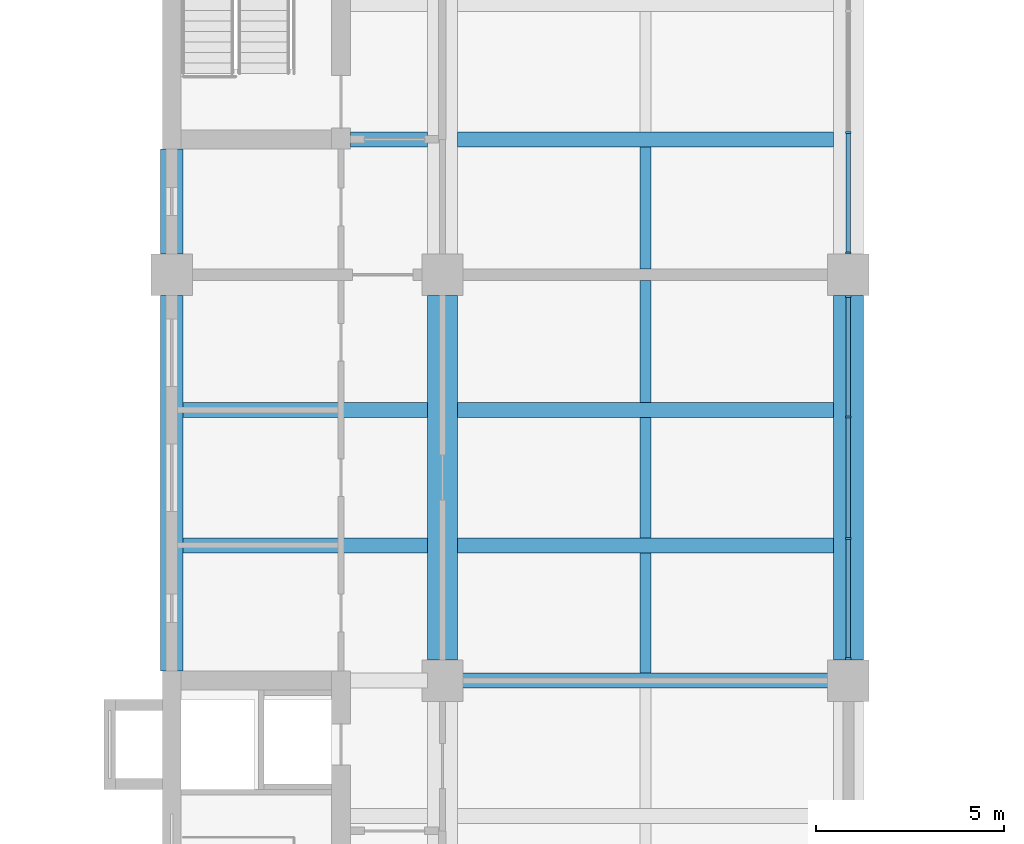
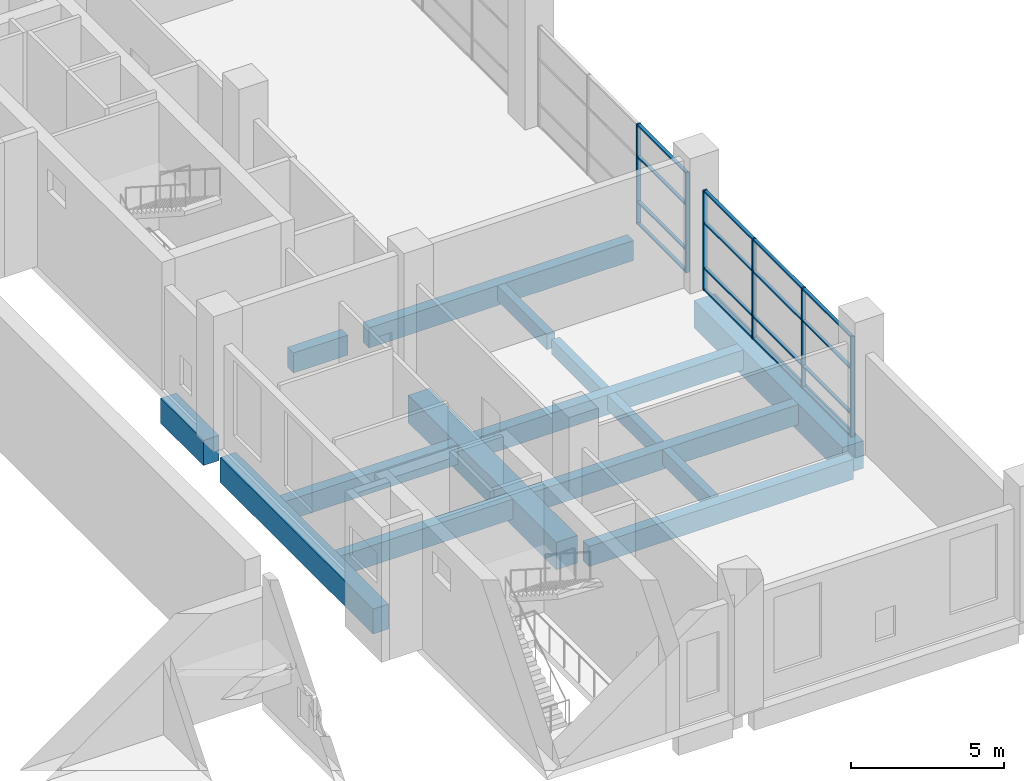
# One storey, part 3 of 33: 22 members, 15 beams, 2 elements without a shape of their own.
"""IFC4 building model written with IfcOpenShell, lengths in metres."""

from ifc_helpers import new_model, si_unit, direction, frame, origin, origin_2d, place, context, subcontext, project, spatial, rectangle, extrude, material, layer, layer_set, material_profile, profile_set, type_object, element, aggregate, save


model = new_model("IFC4")

# Units and contexts
model_context = context("Model", 3, precision=1e-05, world=origin(), true_north=direction((0.0, 1.0)))
body_context = subcontext(model_context, "Body", "Model", "MODEL_VIEW")
ifc_project = project(units=[si_unit("LENGTHUNIT", "METRE"), si_unit("AREAUNIT", "SQUARE_METRE"), si_unit("VOLUMEUNIT", "CUBIC_METRE"), si_unit("PLANEANGLEUNIT", "RADIAN"), si_unit("MASSUNIT", "GRAM", prefix="KILO")], contexts=[model_context])

# Site, building, storey
site_placement = place(None, origin())
site = spatial("IfcSite", under=ifc_project, at=site_placement, CompositionType="ELEMENT")
building_placement = place(site_placement, origin())
building = spatial("IfcBuilding", under=site, at=building_placement, Name="Basin Gate Institute", CompositionType="ELEMENT")
storey_placement = place(building_placement, frame((0.0, 0.0, 6.0)))
storey = spatial("IfcBuildingStorey", under=building, at=storey_placement, Name="L01", CompositionType="ELEMENT", Elevation=6.0)

# Beams
ifc_material_1 = material(Name="Concrete 40 MPa", Category="concrete")
ifc_material_profile_1 = material_profile(ifc_material_1, rectangle(XDim=0.39990234375, YDim=0.800048828125, at=origin_2d()), Name="Beam B2 400 x 800")
ifc_profile_set_1 = profile_set([ifc_material_profile_1], Name="Concrete 40 MPa")
beam_type_1 = type_object("IfcBeamType", Name="Beam B2 R180", PredefinedType="BEAM", material=ifc_profile_set_1)
for number, where, z_axis, x_axis, name in (
    (1, (68.800048828125, 45.89990234375, -0.699951171875), (1.0, 0.0, 0.0), (0.0, 1.0, 0.0), "BEAM/L01/W/EW/04"),
    (2, (68.800048828125, 49.5, -0.699951171875), (1.0, 0.0, 0.0), (0.0, 1.0, 0.0), "BEAM/L01/W/EW/05"),
):
    element("IfcBeam", number, at=place(storey_placement, frame(where, z_axis=z_axis, x_axis=x_axis)), inside=storey, type_object=beam_type_1, material=ifc_profile_set_1, Name=name, PredefinedType="BEAM", context=body_context, shape_type="SweptSolid", body=[
        extrude(rectangle(XDim=0.39990234375, YDim=0.800048828125, at=origin_2d()), origin(), (0.0, 0.0, 1.0), 10.0),
    ])
beam_1_placement = place(storey_placement, frame((61.5, 49.5, -0.699951171875), z_axis=(1.0, 0.0, 0.0), x_axis=(0.0, 1.0, 0.0)))
element("IfcBeam", 3, at=beam_1_placement, inside=storey, type_object=beam_type_1, material=ifc_profile_set_1, Name="BEAM/L01/W/OUT/05", PredefinedType="BEAM", context=body_context, shape_type="SweptSolid", body=[
    extrude(rectangle(XDim=0.39990234375, YDim=0.800048828125, at=origin_2d()), origin(), (0.0, 0.0, 1.0), 6.5),
])
beam_2_placement = place(storey_placement, frame((68.800048828125, 53.10009765625, -0.699951171875), z_axis=(1.0, 0.0, 0.0), x_axis=(0.0, 1.0, 0.0)))
element("IfcBeam", 4, at=beam_2_placement, inside=storey, type_object=beam_type_1, material=ifc_profile_set_1, Name="BEAM/L01/W/EW/06", PredefinedType="BEAM", context=body_context, shape_type="SweptSolid", body=[
    extrude(rectangle(XDim=0.39990234375, YDim=0.800048828125, at=origin_2d()), origin(), (0.0, 0.0, 1.0), 10.0),
])
beam_3_placement = place(storey_placement, frame((61.5, 53.10009765625, -0.699951171875), z_axis=(1.0, 0.0, 0.0), x_axis=(0.0, 1.0, 0.0)))
element("IfcBeam", 5, at=beam_3_placement, inside=storey, type_object=beam_type_1, material=ifc_profile_set_1, Name="BEAM/L01/W/OUT/06", PredefinedType="BEAM", context=body_context, shape_type="SweptSolid", body=[
    extrude(rectangle(XDim=0.39990234375, YDim=0.800048828125, at=origin_2d()), origin(), (0.0, 0.0, 1.0), 6.5),
])
beam_4_placement = place(storey_placement, frame((68.800048828125, 60.300048828125, -0.699951171875), z_axis=(1.0, 0.0, 0.0), x_axis=(0.0, 1.0, 0.0)))
element("IfcBeam", 6, at=beam_4_placement, inside=storey, type_object=beam_type_1, material=ifc_profile_set_1, Name="BEAM/L01/W/EW/08", PredefinedType="BEAM", context=body_context, shape_type="SweptSolid", body=[
    extrude(rectangle(XDim=0.39990234375, YDim=0.800048828125, at=origin_2d()), origin(), (0.0, 0.0, 1.0), 10.0),
])
beam_5_placement = place(storey_placement, frame((65.949951171875, 60.300048828125, -0.699951171875), z_axis=(1.0, 0.0, 0.0), x_axis=(0.0, 1.0, 0.0)))
element("IfcBeam", 7, at=beam_5_placement, inside=storey, type_object=beam_type_1, material=ifc_profile_set_1, Name="BEAM/L01/W/CORR/08", PredefinedType="BEAM", context=body_context, shape_type="SweptSolid", body=[
    extrude(rectangle(XDim=0.39990234375, YDim=0.800048828125, at=origin_2d()), origin(), (0.0, 0.0, 1.0), 2.050048828125),
])
ifc_material_2 = material(Name="Concrete 50 MPa", Category="concrete")
ifc_material_profile_2 = material_profile(ifc_material_2, rectangle(XDim=0.60009765625, YDim=1.0, at=origin_2d()), Name="Edge beam EB2 600 x 1000")
ifc_profile_set_2 = profile_set([ifc_material_profile_2], Name="Concrete 50 MPa")
beam_type_2 = type_object("IfcBeamType", Name="Edge beam EB2 R180", PredefinedType="SPANDREL", material=ifc_profile_set_2)
beam_6_placement = place(storey_placement, frame((61.199951171875, 46.14990234375, -0.800048828125), z_axis=(0.0, 1.0, 0.0), x_axis=(-1.0, 0.0, 0.0)))
element("IfcBeam", 8, at=beam_6_placement, inside=storey, type_object=beam_type_2, material=ifc_profile_set_2, Name="BEAM/L01/W/EDGE/1", PredefinedType="SPANDREL", context=body_context, shape_type="SweptSolid", body=[
    extrude(rectangle(XDim=0.60009765625, YDim=1.0, at=origin_2d()), origin(), (0.0, 0.0, 1.0), 10.0),
])
ifc_material_3 = material(Name="Concrete 50 MPa", Category="concrete")
ifc_material_profile_3 = material_profile(ifc_material_3, rectangle(XDim=0.60009765625, YDim=1.0, at=origin_2d()), Name="Edge return beam EB4 600 x 1000")
ifc_profile_set_3 = profile_set([ifc_material_profile_3], Name="Concrete 50 MPa")
beam_type_3 = type_object("IfcBeamType", Name="Edge return beam EB4 R180", PredefinedType="SPANDREL", material=ifc_profile_set_3)
beam_7_placement = place(storey_placement, frame((61.199951171875, 57.25, -0.800048828125), z_axis=(0.0, 1.0, 0.0), x_axis=(-1.0, 0.0, 0.0)))
element("IfcBeam", 9, at=beam_7_placement, inside=storey, type_object=beam_type_3, material=ifc_profile_set_3, Name="BEAM/L01/W/EDGE/2", PredefinedType="SPANDREL", context=body_context, shape_type="SweptSolid", body=[
    extrude(rectangle(XDim=0.60009765625, YDim=1.0, at=origin_2d()), origin(), (0.0, 0.0, 1.0), 2.800048828125),
])
ifc_material_4 = material(Name="Concrete 50 MPa", Category="concrete")
ifc_material_profile_4 = material_profile(ifc_material_4, rectangle(XDim=0.800048828125, YDim=1.10009765625, at=origin_2d()), Name="Girder G2 800 x 1100")
ifc_profile_set_4 = profile_set([ifc_material_profile_4], Name="Concrete 50 MPa")
beam_type_4 = type_object("IfcBeamType", Name="Girder G2 R180", PredefinedType="BEAM", material=ifc_profile_set_4)
for number, where, z_axis, x_axis, name in (
    (10, (68.39990234375, 46.449951171875, -0.85009765625), (0.0, 1.0, 0.0), (-1.0, 0.0, 0.0), "GIR/L01/W5/2"),
    (11, (79.199951171875, 46.449951171875, -0.85009765625), (0.0, 1.0, 0.0), (-1.0, 0.0, 0.0), "GIR/L01/W6/2"),
):
    element("IfcBeam", number, at=place(storey_placement, frame(where, z_axis=z_axis, x_axis=x_axis)), inside=storey, type_object=beam_type_4, material=ifc_profile_set_4, Name=name, PredefinedType="BEAM", context=body_context, shape_type="SweptSolid", body=[
        extrude(rectangle(XDim=0.800048828125, YDim=1.10009765625, at=origin_2d()), origin(), (0.0, 0.0, 1.0), 9.699951171875),
    ])

# Curtain wall, members
ifc_material_5 = material(Name="Fire-resistant glazing in steel-free frame", Category="steel")
ifc_layer = layer(ifc_material_5, 0.199951171875)
ifc_layer_set = layer_set([ifc_layer], Name="Fire-resistant glazing in steel-free frame")
curtain_wall_type = type_object("IfcCurtainWallType", Name="Atrium rated curtain wall CW3", PredefinedType="NOTDEFINED", material=ifc_layer_set)
curtain_wall_1_placement = place(storey_placement, origin())
curtain_wall_1 = element("IfcCurtainWall", 12, at=curtain_wall_1_placement, inside=storey, type_object=curtain_wall_type, material=ifc_layer_set, Name="Atrium rated curtain wall W wing atrium bay 2 L01", PredefinedType="NOTDEFINED")
ifc_material_6 = material(Name="Aluminium", Category="aluminium")
ifc_material_profile_5 = material_profile(ifc_material_6, rectangle(XDim=0.14990234375, YDim=0.06005859375, at=origin_2d()), Name="Mullion MU3 150 x 60")
ifc_profile_set_5 = profile_set([ifc_material_profile_5], Name="Aluminium")
member_type_1 = type_object("IfcMemberType", Name="Mullion MU3", PredefinedType="MULLION", material=ifc_profile_set_5)
member_1_placement = place(storey_placement, frame((79.199951171875, 46.47998046875, 0.0), z_axis=(0.0, 0.0, 1.0), x_axis=(-1.0, 0.0, 0.0)))
member_1 = element("IfcMember", 13, at=member_1_placement, type_object=member_type_1, material=ifc_profile_set_5, Name="CW3 mullion 1", PredefinedType="MULLION", context=body_context, shape_type="SweptSolid", body=[
    extrude(rectangle(XDim=0.14990234375, YDim=0.06005859375, at=origin_2d()), origin(), (0.0, 0.0, 1.0), 4.0),
])
member_2_placement = place(storey_placement, frame((79.199951171875, 49.683349609375, 0.0), z_axis=(0.0, 0.0, 1.0), x_axis=(-1.0, 0.0, 0.0)))
member_2 = element("IfcMember", 14, at=member_2_placement, type_object=member_type_1, material=ifc_profile_set_5, Name="CW3 mullion 2", PredefinedType="MULLION", context=body_context, shape_type="SweptSolid", body=[
    extrude(rectangle(XDim=0.14990234375, YDim=0.06005859375, at=origin_2d()), origin(), (0.0, 0.0, 1.0), 4.0),
])
member_3_placement = place(storey_placement, frame((79.199951171875, 52.916748046875, 0.0), z_axis=(0.0, 0.0, 1.0), x_axis=(-1.0, 0.0, 0.0)))
member_3 = element("IfcMember", 15, at=member_3_placement, type_object=member_type_1, material=ifc_profile_set_5, Name="CW3 mullion 3", PredefinedType="MULLION", context=body_context, shape_type="SweptSolid", body=[
    extrude(rectangle(XDim=0.14990234375, YDim=0.06005859375, at=origin_2d()), origin(), (0.0, 0.0, 1.0), 4.0),
])
member_4_placement = place(storey_placement, frame((79.199951171875, 56.1201171875, 0.0), z_axis=(0.0, 0.0, 1.0), x_axis=(-1.0, 0.0, 0.0)))
member_4 = element("IfcMember", 16, at=member_4_placement, type_object=member_type_1, material=ifc_profile_set_5, Name="CW3 mullion 4", PredefinedType="MULLION", context=body_context, shape_type="SweptSolid", body=[
    extrude(rectangle(XDim=0.14990234375, YDim=0.06005859375, at=origin_2d()), origin(), (0.0, 0.0, 1.0), 4.0),
])

curtain_wall_2_placement = place(storey_placement, origin())
curtain_wall_2 = element("IfcCurtainWall", 17, at=curtain_wall_2_placement, inside=storey, type_object=curtain_wall_type, material=ifc_layer_set, Name="Atrium rated curtain wall W wing atrium bay 3 L01", PredefinedType="NOTDEFINED")
member_5_placement = place(storey_placement, frame((79.199951171875, 57.280029296875, 0.0), z_axis=(0.0, 0.0, 1.0), x_axis=(-1.0, 0.0, 0.0)))
member_5 = element("IfcMember", 18, at=member_5_placement, type_object=member_type_1, material=ifc_profile_set_5, Name="CW3 mullion 1", PredefinedType="MULLION", context=body_context, shape_type="SweptSolid", body=[
    extrude(rectangle(XDim=0.14990234375, YDim=0.06005859375, at=origin_2d()), origin(), (0.0, 0.0, 1.0), 4.0),
])
member_6_placement = place(storey_placement, frame((79.199951171875, 60.4833984375, 0.0), z_axis=(0.0, 0.0, 1.0), x_axis=(-1.0, 0.0, 0.0)))
member_6 = element("IfcMember", 19, at=member_6_placement, type_object=member_type_1, material=ifc_profile_set_5, Name="CW3 mullion 2", PredefinedType="MULLION", context=body_context, shape_type="SweptSolid", body=[
    extrude(rectangle(XDim=0.14990234375, YDim=0.06005859375, at=origin_2d()), origin(), (0.0, 0.0, 1.0), 4.0),
])

# Beams
ifc_material_7 = material(Name="Concrete 40 MPa", Category="concrete")
ifc_material_profile_6 = material_profile(ifc_material_7, rectangle(XDim=0.300048828125, YDim=0.60009765625, at=origin_2d()), Name="Rib R2 300 x 600")
ifc_profile_set_6 = profile_set([ifc_material_profile_6], Name="Concrete 40 MPa")
beam_type_5 = type_object("IfcBeamType", Name="Rib R2 R180", PredefinedType="JOIST", material=ifc_profile_set_6)
for number, where, z_axis, x_axis, name in (
    (20, (73.800048828125, 46.10009765625, -0.60009765625), (0.0, 1.0, 0.0), (-1.0, 0.0, 0.0), "BEAM/L01/W/RIB/04"),
    (21, (73.800048828125, 49.699951171875, -0.60009765625), (0.0, 1.0, 0.0), (-1.0, 0.0, 0.0), "BEAM/L01/W/RIB/05"),
):
    element("IfcBeam", number, at=place(storey_placement, frame(where, z_axis=z_axis, x_axis=x_axis)), inside=storey, type_object=beam_type_5, material=ifc_profile_set_6, Name=name, PredefinedType="JOIST", context=body_context, shape_type="SweptSolid", body=[
        extrude(rectangle(XDim=0.300048828125, YDim=0.60009765625, at=origin_2d()), origin(), (0.0, 0.0, 1.0), 3.199951171875),
    ])
for number, where, z_axis, x_axis, name in (
    (22, (73.800048828125, 53.300048828125, -0.60009765625), (0.0, 1.0, 0.0), (-1.0, 0.0, 0.0), "BEAM/L01/W/RIB/06"),
    (23, (73.800048828125, 56.85009765625, -0.60009765625), (0.0, 1.0, 0.0), (-1.0, 0.0, 0.0), "BEAM/L01/W/RIB/07"),
):
    element("IfcBeam", number, at=place(storey_placement, frame(where, z_axis=z_axis, x_axis=x_axis)), inside=storey, type_object=beam_type_5, material=ifc_profile_set_6, Name=name, PredefinedType="JOIST", context=body_context, shape_type="SweptSolid", body=[
        extrude(rectangle(XDim=0.300048828125, YDim=0.60009765625, at=origin_2d()), origin(), (0.0, 0.0, 1.0), 3.25),
    ])

# Member
ifc_material_8 = material(Name="Aluminium", Category="aluminium")
ifc_material_profile_7 = material_profile(ifc_material_8, rectangle(XDim=0.1201171875, YDim=0.06005859375, at=origin_2d()), Name="Transom TR3 120 x 60")
ifc_profile_set_7 = profile_set([ifc_material_profile_7], Name="Aluminium")
member_type_2 = type_object("IfcMemberType", Name="Transom TR3", PredefinedType="USERDEFINED", material=ifc_profile_set_7)
member_7_placement = place(storey_placement, frame((79.199951171875, 46.510009765625, 0.030029296875), z_axis=(0.0, 1.0, 0.0), x_axis=(-1.0, 0.0, 0.0)))
member_7 = element("IfcMember", 24, at=member_7_placement, type_object=member_type_2, material=ifc_profile_set_7, Name="CW3 transom 1.1", ObjectType="TRANSOM", PredefinedType="USERDEFINED", context=body_context, shape_type="SweptSolid", body=[
    extrude(rectangle(XDim=0.1201171875, YDim=0.06005859375, at=origin_2d()), origin(), (0.0, 0.0, 1.0), 3.143310546875),
])

member_8_placement = place(storey_placement, frame((79.199951171875, 46.510009765625, 0.89990234375), z_axis=(0.0, 1.0, 0.0), x_axis=(-1.0, 0.0, 0.0)))
member_8 = element("IfcMember", 25, at=member_8_placement, type_object=member_type_2, material=ifc_profile_set_7, Name="CW3 transom 1.2", ObjectType="TRANSOM", PredefinedType="USERDEFINED", context=body_context, shape_type="SweptSolid", body=[
    extrude(rectangle(XDim=0.1201171875, YDim=0.06005859375, at=origin_2d()), origin(), (0.0, 0.0, 1.0), 3.143310546875),
])

member_9_placement = place(storey_placement, frame((79.199951171875, 46.510009765625, 2.699951171875), z_axis=(0.0, 1.0, 0.0), x_axis=(-1.0, 0.0, 0.0)))
member_9 = element("IfcMember", 26, at=member_9_placement, type_object=member_type_2, material=ifc_profile_set_7, Name="CW3 transom 1.3", ObjectType="TRANSOM", PredefinedType="USERDEFINED", context=body_context, shape_type="SweptSolid", body=[
    extrude(rectangle(XDim=0.1201171875, YDim=0.06005859375, at=origin_2d()), origin(), (0.0, 0.0, 1.0), 3.143310546875),
])

member_10_placement = place(storey_placement, frame((79.199951171875, 46.510009765625, 3.969970703125), z_axis=(0.0, 1.0, 0.0), x_axis=(-1.0, 0.0, 0.0)))
member_10 = element("IfcMember", 27, at=member_10_placement, type_object=member_type_2, material=ifc_profile_set_7, Name="CW3 transom 1.4", ObjectType="TRANSOM", PredefinedType="USERDEFINED", context=body_context, shape_type="SweptSolid", body=[
    extrude(rectangle(XDim=0.1201171875, YDim=0.06005859375, at=origin_2d()), origin(), (0.0, 0.0, 1.0), 3.143310546875),
])

member_11_placement = place(storey_placement, frame((79.199951171875, 49.71337890625, 0.030029296875), z_axis=(0.0, 1.0, 0.0), x_axis=(-1.0, 0.0, 0.0)))
member_11 = element("IfcMember", 28, at=member_11_placement, type_object=member_type_2, material=ifc_profile_set_7, Name="CW3 transom 2.1", ObjectType="TRANSOM", PredefinedType="USERDEFINED", context=body_context, shape_type="SweptSolid", body=[
    extrude(rectangle(XDim=0.1201171875, YDim=0.06005859375, at=origin_2d()), origin(), (0.0, 0.0, 1.0), 3.17333984375),
])

member_12_placement = place(storey_placement, frame((79.199951171875, 49.71337890625, 0.89990234375), z_axis=(0.0, 1.0, 0.0), x_axis=(-1.0, 0.0, 0.0)))
member_12 = element("IfcMember", 29, at=member_12_placement, type_object=member_type_2, material=ifc_profile_set_7, Name="CW3 transom 2.2", ObjectType="TRANSOM", PredefinedType="USERDEFINED", context=body_context, shape_type="SweptSolid", body=[
    extrude(rectangle(XDim=0.1201171875, YDim=0.06005859375, at=origin_2d()), origin(), (0.0, 0.0, 1.0), 3.17333984375),
])

member_13_placement = place(storey_placement, frame((79.199951171875, 49.71337890625, 2.699951171875), z_axis=(0.0, 1.0, 0.0), x_axis=(-1.0, 0.0, 0.0)))
member_13 = element("IfcMember", 30, at=member_13_placement, type_object=member_type_2, material=ifc_profile_set_7, Name="CW3 transom 2.3", ObjectType="TRANSOM", PredefinedType="USERDEFINED", context=body_context, shape_type="SweptSolid", body=[
    extrude(rectangle(XDim=0.1201171875, YDim=0.06005859375, at=origin_2d()), origin(), (0.0, 0.0, 1.0), 3.17333984375),
])

member_14_placement = place(storey_placement, frame((79.199951171875, 49.71337890625, 3.969970703125), z_axis=(0.0, 1.0, 0.0), x_axis=(-1.0, 0.0, 0.0)))
member_14 = element("IfcMember", 31, at=member_14_placement, type_object=member_type_2, material=ifc_profile_set_7, Name="CW3 transom 2.4", ObjectType="TRANSOM", PredefinedType="USERDEFINED", context=body_context, shape_type="SweptSolid", body=[
    extrude(rectangle(XDim=0.1201171875, YDim=0.06005859375, at=origin_2d()), origin(), (0.0, 0.0, 1.0), 3.17333984375),
])

member_15_placement = place(storey_placement, frame((79.199951171875, 52.94677734375, 0.030029296875), z_axis=(0.0, 1.0, 0.0), x_axis=(-1.0, 0.0, 0.0)))
member_15 = element("IfcMember", 32, at=member_15_placement, type_object=member_type_2, material=ifc_profile_set_7, Name="CW3 transom 3.1", ObjectType="TRANSOM", PredefinedType="USERDEFINED", context=body_context, shape_type="SweptSolid", body=[
    extrude(rectangle(XDim=0.1201171875, YDim=0.06005859375, at=origin_2d()), origin(), (0.0, 0.0, 1.0), 3.143310546875),
])

member_16_placement = place(storey_placement, frame((79.199951171875, 52.94677734375, 0.89990234375), z_axis=(0.0, 1.0, 0.0), x_axis=(-1.0, 0.0, 0.0)))
member_16 = element("IfcMember", 33, at=member_16_placement, type_object=member_type_2, material=ifc_profile_set_7, Name="CW3 transom 3.2", ObjectType="TRANSOM", PredefinedType="USERDEFINED", context=body_context, shape_type="SweptSolid", body=[
    extrude(rectangle(XDim=0.1201171875, YDim=0.06005859375, at=origin_2d()), origin(), (0.0, 0.0, 1.0), 3.143310546875),
])

member_17_placement = place(storey_placement, frame((79.199951171875, 52.94677734375, 2.699951171875), z_axis=(0.0, 1.0, 0.0), x_axis=(-1.0, 0.0, 0.0)))
member_17 = element("IfcMember", 34, at=member_17_placement, type_object=member_type_2, material=ifc_profile_set_7, Name="CW3 transom 3.3", ObjectType="TRANSOM", PredefinedType="USERDEFINED", context=body_context, shape_type="SweptSolid", body=[
    extrude(rectangle(XDim=0.1201171875, YDim=0.06005859375, at=origin_2d()), origin(), (0.0, 0.0, 1.0), 3.143310546875),
])

member_18_placement = place(storey_placement, frame((79.199951171875, 52.94677734375, 3.969970703125), z_axis=(0.0, 1.0, 0.0), x_axis=(-1.0, 0.0, 0.0)))
member_18 = element("IfcMember", 35, at=member_18_placement, type_object=member_type_2, material=ifc_profile_set_7, Name="CW3 transom 3.4", ObjectType="TRANSOM", PredefinedType="USERDEFINED", context=body_context, shape_type="SweptSolid", body=[
    extrude(rectangle(XDim=0.1201171875, YDim=0.06005859375, at=origin_2d()), origin(), (0.0, 0.0, 1.0), 3.143310546875),
])

aggregate(curtain_wall_1, [member_1, member_2, member_3, member_4, member_7, member_8, member_9, member_10, member_11, member_12, member_13, member_14, member_15, member_16, member_17, member_18])

member_19_placement = place(storey_placement, frame((79.199951171875, 57.31005859375, 0.030029296875), z_axis=(0.0, 1.0, 0.0), x_axis=(-1.0, 0.0, 0.0)))
member_19 = element("IfcMember", 36, at=member_19_placement, type_object=member_type_2, material=ifc_profile_set_7, Name="CW3 transom 1.1", ObjectType="TRANSOM", PredefinedType="USERDEFINED", context=body_context, shape_type="SweptSolid", body=[
    extrude(rectangle(XDim=0.1201171875, YDim=0.06005859375, at=origin_2d()), origin(), (0.0, 0.0, 1.0), 3.143310546875),
])

member_20_placement = place(storey_placement, frame((79.199951171875, 57.31005859375, 0.89990234375), z_axis=(0.0, 1.0, 0.0), x_axis=(-1.0, 0.0, 0.0)))
member_20 = element("IfcMember", 37, at=member_20_placement, type_object=member_type_2, material=ifc_profile_set_7, Name="CW3 transom 1.2", ObjectType="TRANSOM", PredefinedType="USERDEFINED", context=body_context, shape_type="SweptSolid", body=[
    extrude(rectangle(XDim=0.1201171875, YDim=0.06005859375, at=origin_2d()), origin(), (0.0, 0.0, 1.0), 3.143310546875),
])

member_21_placement = place(storey_placement, frame((79.199951171875, 57.31005859375, 2.699951171875), z_axis=(0.0, 1.0, 0.0), x_axis=(-1.0, 0.0, 0.0)))
member_21 = element("IfcMember", 38, at=member_21_placement, type_object=member_type_2, material=ifc_profile_set_7, Name="CW3 transom 1.3", ObjectType="TRANSOM", PredefinedType="USERDEFINED", context=body_context, shape_type="SweptSolid", body=[
    extrude(rectangle(XDim=0.1201171875, YDim=0.06005859375, at=origin_2d()), origin(), (0.0, 0.0, 1.0), 3.143310546875),
])

member_22_placement = place(storey_placement, frame((79.199951171875, 57.31005859375, 3.969970703125), z_axis=(0.0, 1.0, 0.0), x_axis=(-1.0, 0.0, 0.0)))
member_22 = element("IfcMember", 39, at=member_22_placement, type_object=member_type_2, material=ifc_profile_set_7, Name="CW3 transom 1.4", ObjectType="TRANSOM", PredefinedType="USERDEFINED", context=body_context, shape_type="SweptSolid", body=[
    extrude(rectangle(XDim=0.1201171875, YDim=0.06005859375, at=origin_2d()), origin(), (0.0, 0.0, 1.0), 3.143310546875),
])

aggregate(curtain_wall_2, [member_5, member_6, member_19, member_20, member_21, member_22])

save(model, "model.ifc")
